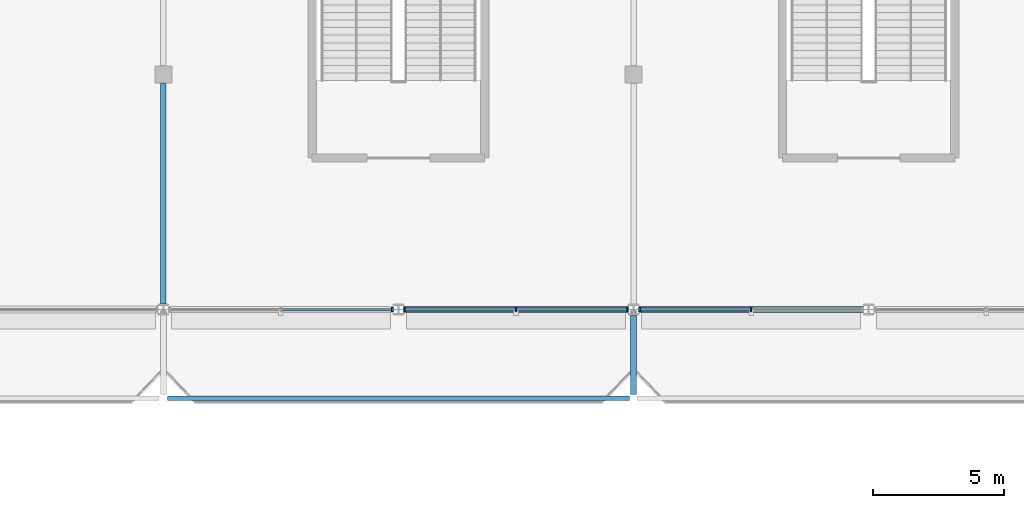
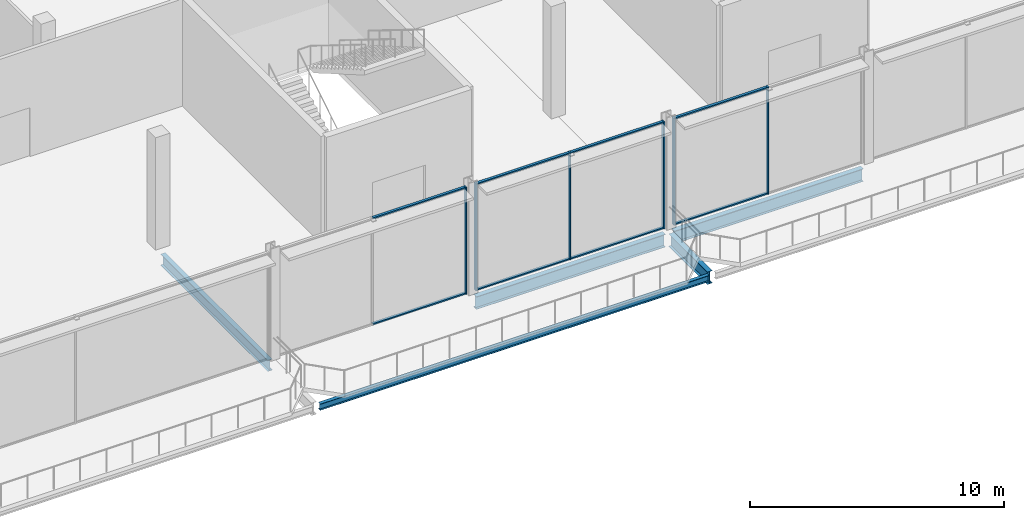
# One storey, part 37 of 113: 14 members, 5 beams, 3 elements without a shape of their own.
"""IFC4 building model written with IfcOpenShell, lengths in metres."""

from ifc_helpers import new_model, si_unit, direction, frame, origin, origin_2d, place, context, subcontext, project, spatial, rectangle, i_section, extrude, material, layer, layer_set, material_profile, profile_set, type_object, element, aggregate, save


model = new_model("IFC4")

# Units and contexts
model_context = context("Model", 3, precision=1e-05, world=origin(), true_north=direction((0.0, 1.0)))
body_context = subcontext(model_context, "Body", "Model", "MODEL_VIEW")
ifc_project = project(units=[si_unit("LENGTHUNIT", "METRE"), si_unit("AREAUNIT", "SQUARE_METRE"), si_unit("VOLUMEUNIT", "CUBIC_METRE"), si_unit("PLANEANGLEUNIT", "RADIAN"), si_unit("MASSUNIT", "GRAM", prefix="KILO")], contexts=[model_context])

# Site, building, storey
site_placement = place(None, origin())
site = spatial("IfcSite", under=ifc_project, at=site_placement, CompositionType="ELEMENT")
building_placement = place(site_placement, origin())
building = spatial("IfcBuilding", under=site, at=building_placement, Name="Kisiwana Market Hall", CompositionType="ELEMENT")
storey_placement = place(building_placement, frame((0.0, 0.0, 6.0)))
storey = spatial("IfcBuildingStorey", under=building, at=storey_placement, Name="L01", CompositionType="ELEMENT", Elevation=6.0)

# Beams
ifc_material_1 = material(Name="Steel S355", Category="steel")
ifc_material_profile_1 = material_profile(ifc_material_1, i_section(OverallWidth=0.2275390625, OverallDepth=0.6025390625, WebThickness=0.010498046875, FlangeThickness=0.014892578125, at=origin_2d()), Name="UB 610x229x101")
ifc_profile_set_1 = profile_set([ifc_material_profile_1], Name="Steel S355")
beam_type_1 = type_object("IfcBeamType", Name="BM-CANT-PROW", PredefinedType="BEAM", material=ifc_profile_set_1)
beam_1_placement = place(storey_placement, frame((99.0, 83.78662109375, -0.501220703125), z_axis=(0.0, -1.0, 0.0), x_axis=(1.0, 0.0, 0.0)))
element("IfcBeam", 1, at=beam_1_placement, inside=storey, type_object=beam_type_1, Name="Gallery prow girder B-0586", PredefinedType="BEAM", context=body_context, shape_type="SweptSolid", body=[
    extrude(i_section(OverallWidth=0.2275390625, OverallDepth=0.6025390625, WebThickness=0.010498046875, FlangeThickness=0.014892578125, at=origin_2d()), origin(), (0.0, 0.0, 1.0), 3.03662109375),
])
ifc_material_2 = material(Name="Steel S355", Category="steel")
ifc_material_profile_2 = material_profile(ifc_material_2, i_section(OverallWidth=0.209228515625, OverallDepth=0.533203125, WebThickness=0.010009765625, FlangeThickness=0.015625, at=origin_2d()), Name="UB 533x210x92")
ifc_profile_set_2 = profile_set([ifc_material_profile_2], Name="Steel S355")
beam_type_2 = type_object("IfcBeamType", Name="BM-GIRD-UB533", PredefinedType="BEAM", material=ifc_profile_set_2)
beam_2_placement = place(storey_placement, frame((81.0, 84.21337890625, -0.5166015625), z_axis=(0.0, 1.0, 0.0), x_axis=(-1.0, 0.0, 0.0)))
element("IfcBeam", 2, at=beam_2_placement, inside=storey, type_object=beam_type_2, Name="Primary girder B-0370", PredefinedType="BEAM", context=body_context, shape_type="SweptSolid", body=[
    extrude(i_section(OverallWidth=0.209228515625, OverallDepth=0.533203125, WebThickness=0.010009765625, FlangeThickness=0.015625, at=origin_2d()), origin(), (0.0, 0.0, 1.0), 8.440673828125),
])
ifc_material_3 = material(Name="Steel S355", Category="steel")
ifc_material_profile_3 = material_profile(ifc_material_3, i_section(OverallWidth=0.22900390625, OverallDepth=0.6123046875, WebThickness=0.011962890625, FlangeThickness=0.01953125, at=origin_2d()), Name="UB 610x229x125")
ifc_profile_set_3 = profile_set([ifc_material_profile_3], Name="Steel S355")
beam_type_3 = type_object("IfcBeamType", Name="BM-GIRD-UB610H", PredefinedType="BEAM", material=ifc_profile_set_3)
for number, where, z_axis, x_axis, name in (
    (3, (90.201904296875, 84.0, -0.55615234375), (1.0, 0.0, 0.0), (0.0, 1.0, 0.0), "Floor beam B-0510"),
    (4, (99.201904296875, 84.0, -0.55615234375), (1.0, 0.0, 0.0), (0.0, 1.0, 0.0), "Floor beam B-0511"),
):
    element("IfcBeam", number, at=place(storey_placement, frame(where, z_axis=z_axis, x_axis=x_axis)), inside=storey, type_object=beam_type_3, Name=name, PredefinedType="BEAM", context=body_context, shape_type="SweptSolid", body=[
        extrude(i_section(OverallWidth=0.22900390625, OverallDepth=0.6123046875, WebThickness=0.011962890625, FlangeThickness=0.01953125, at=origin_2d()), origin(), (0.0, 0.0, 1.0), 8.59619140625),
    ])
ifc_material_4 = material(Name="Steel S355", Category="steel")
ifc_material_profile_4 = material_profile(ifc_material_4, i_section(OverallWidth=0.1650390625, OverallDepth=0.303466796875, WebThickness=0.006103515625, FlangeThickness=0.01025390625, at=origin_2d()), Name="UB 305x165x40")
ifc_profile_set_4 = profile_set([ifc_material_profile_4], Name="Steel S355")
beam_type_4 = type_object("IfcBeamType", Name="BM-JOIST-UB305", PredefinedType="JOIST", material=ifc_profile_set_4)
beam_3_placement = place(storey_placement, frame((81.159912109375, 80.60009765625, -0.351806640625), z_axis=(1.0, 0.0, 0.0), x_axis=(0.0, 1.0, 0.0)))
element("IfcBeam", 5, at=beam_3_placement, inside=storey, type_object=beam_type_4, Name="Prow edge tie B-0588", PredefinedType="JOIST", context=body_context, shape_type="SweptSolid", body=[
    extrude(i_section(OverallWidth=0.1650390625, OverallDepth=0.303466796875, WebThickness=0.006103515625, FlangeThickness=0.01025390625, at=origin_2d()), origin(), (0.0, 0.0, 1.0), 17.68017578125),
])

# Curtain wall, member
ifc_material_5 = material(Name="Double-glazed solar-control low-E IGU", Category="glass")
ifc_layer = layer(ifc_material_5, 0.159912109375)
ifc_layer_set = layer_set([ifc_layer], Name="CW-FC-S-7600")
curtain_wall_type = type_object("IfcCurtainWallType", Name="CW-FC-S-7600", PredefinedType="USERDEFINED", material=ifc_layer_set)
curtain_wall_1_placement = place(storey_placement, origin())
curtain_wall_1 = element("IfcCurtainWall", 6, at=curtain_wall_1_placement, inside=storey, type_object=curtain_wall_type, Name="Unitised curtain wall CW-027 (L01)", ObjectType="UNITISED CURTAIN WALL", PredefinedType="USERDEFINED")
ifc_material_6 = material(Name="Aluminium alloy 6063-T6", Category="aluminium")
ifc_material_profile_5 = material_profile(ifc_material_6, rectangle(XDim=0.06005859375, YDim=0.159912109375, at=origin_2d()), Name="ALU MULLION 60x160")
ifc_profile_set_5 = profile_set([ifc_material_profile_5], Name="Aluminium alloy 6063-T6")
member_type_1 = type_object("IfcMemberType", Name="CW-MULL-60x160", PredefinedType="MULLION", material=ifc_profile_set_5)
member_1_placement = place(storey_placement, frame((89.763916015625, 84.0, 0.0), z_axis=(0.0, 0.0, 1.0), x_axis=(1.0, 0.0, 0.0)))
member_1 = element("IfcMember", 7, at=member_1_placement, type_object=member_type_1, Name="CW-027 mullion 3", PredefinedType="MULLION", context=body_context, shape_type="SweptSolid", body=[
    extrude(rectangle(XDim=0.06005859375, YDim=0.159912109375, at=origin_2d()), origin(), (0.0, 0.0, 1.0), 5.14990234375),
])

# Curtain wall, members
curtain_wall_2_placement = place(storey_placement, origin())
curtain_wall_2 = element("IfcCurtainWall", 8, at=curtain_wall_2_placement, inside=storey, type_object=curtain_wall_type, Name="Unitised curtain wall CW-028 (L01)", ObjectType="UNITISED CURTAIN WALL", PredefinedType="USERDEFINED")
member_2_placement = place(storey_placement, frame((90.236083984375, 84.0, 0.0), z_axis=(0.0, 0.0, 1.0), x_axis=(1.0, 0.0, 0.0)))
member_2 = element("IfcMember", 9, at=member_2_placement, type_object=member_type_1, Name="CW-028 mullion 1", PredefinedType="MULLION", context=body_context, shape_type="SweptSolid", body=[
    extrude(rectangle(XDim=0.06005859375, YDim=0.159912109375, at=origin_2d()), origin(), (0.0, 0.0, 1.0), 5.14990234375),
])
member_3_placement = place(storey_placement, frame((94.5, 84.0, 0.0), z_axis=(0.0, 0.0, 1.0), x_axis=(1.0, 0.0, 0.0)))
member_3 = element("IfcMember", 10, at=member_3_placement, type_object=member_type_1, Name="CW-028 mullion 2", PredefinedType="MULLION", context=body_context, shape_type="SweptSolid", body=[
    extrude(rectangle(XDim=0.06005859375, YDim=0.159912109375, at=origin_2d()), origin(), (0.0, 0.0, 1.0), 5.14990234375),
])
member_4_placement = place(storey_placement, frame((98.763916015625, 84.0, 0.0), z_axis=(0.0, 0.0, 1.0), x_axis=(1.0, 0.0, 0.0)))
member_4 = element("IfcMember", 11, at=member_4_placement, type_object=member_type_1, Name="CW-028 mullion 3", PredefinedType="MULLION", context=body_context, shape_type="SweptSolid", body=[
    extrude(rectangle(XDim=0.06005859375, YDim=0.159912109375, at=origin_2d()), origin(), (0.0, 0.0, 1.0), 5.14990234375),
])

curtain_wall_3_placement = place(storey_placement, origin())
curtain_wall_3 = element("IfcCurtainWall", 12, at=curtain_wall_3_placement, inside=storey, type_object=curtain_wall_type, Name="Unitised curtain wall CW-029 (L01)", ObjectType="UNITISED CURTAIN WALL", PredefinedType="USERDEFINED")
member_5_placement = place(storey_placement, frame((99.236083984375, 84.0, 0.0), z_axis=(0.0, 0.0, 1.0), x_axis=(1.0, 0.0, 0.0)))
member_5 = element("IfcMember", 13, at=member_5_placement, type_object=member_type_1, Name="CW-029 mullion 1", PredefinedType="MULLION", context=body_context, shape_type="SweptSolid", body=[
    extrude(rectangle(XDim=0.06005859375, YDim=0.159912109375, at=origin_2d()), origin(), (0.0, 0.0, 1.0), 5.14990234375),
])
member_6_placement = place(storey_placement, frame((103.5, 84.0, 0.0), z_axis=(0.0, 0.0, 1.0), x_axis=(1.0, 0.0, 0.0)))
member_6 = element("IfcMember", 14, at=member_6_placement, type_object=member_type_1, Name="CW-029 mullion 2", PredefinedType="MULLION", context=body_context, shape_type="SweptSolid", body=[
    extrude(rectangle(XDim=0.06005859375, YDim=0.159912109375, at=origin_2d()), origin(), (0.0, 0.0, 1.0), 5.14990234375),
])

# Member
ifc_material_7 = material(Name="Aluminium alloy 6063-T6", Category="aluminium")
ifc_material_profile_6 = material_profile(ifc_material_7, rectangle(XDim=0.1201171875, YDim=0.06005859375, at=origin_2d()), Name="ALU TRANSOM 60x120")
ifc_profile_set_6 = profile_set([ifc_material_profile_6], Name="Aluminium alloy 6063-T6")
member_type_2 = type_object("IfcMemberType", Name="CW-TRAN-60x120", PredefinedType="USERDEFINED", material=ifc_profile_set_6)
member_7_placement = place(storey_placement, frame((85.530029296875, 84.0, 0.030029296875), z_axis=(1.0, 0.0, 0.0), x_axis=(0.0, 1.0, 0.0)))
member_7 = element("IfcMember", 15, at=member_7_placement, type_object=member_type_2, Name="CW-027 transom 2.1", ObjectType="TRANSOM", PredefinedType="USERDEFINED", context=body_context, shape_type="SweptSolid", body=[
    extrude(rectangle(XDim=0.1201171875, YDim=0.06005859375, at=origin_2d()), origin(), (0.0, 0.0, 1.0), 4.203857421875),
])

member_8_placement = place(storey_placement, frame((85.530029296875, 84.0, 5.1201171875), z_axis=(1.0, 0.0, 0.0), x_axis=(0.0, 1.0, 0.0)))
member_8 = element("IfcMember", 16, at=member_8_placement, type_object=member_type_2, Name="CW-027 transom 2.2", ObjectType="TRANSOM", PredefinedType="USERDEFINED", context=body_context, shape_type="SweptSolid", body=[
    extrude(rectangle(XDim=0.1201171875, YDim=0.06005859375, at=origin_2d()), origin(), (0.0, 0.0, 1.0), 4.203857421875),
])

aggregate(curtain_wall_1, [member_1, member_7, member_8])

member_9_placement = place(storey_placement, frame((90.26611328125, 84.0, 0.030029296875), z_axis=(1.0, 0.0, 0.0), x_axis=(0.0, 1.0, 0.0)))
member_9 = element("IfcMember", 17, at=member_9_placement, type_object=member_type_2, Name="CW-028 transom 1.1", ObjectType="TRANSOM", PredefinedType="USERDEFINED", context=body_context, shape_type="SweptSolid", body=[
    extrude(rectangle(XDim=0.1201171875, YDim=0.06005859375, at=origin_2d()), origin(), (0.0, 0.0, 1.0), 4.203857421875),
])

member_10_placement = place(storey_placement, frame((90.26611328125, 84.0, 5.1201171875), z_axis=(1.0, 0.0, 0.0), x_axis=(0.0, 1.0, 0.0)))
member_10 = element("IfcMember", 18, at=member_10_placement, type_object=member_type_2, Name="CW-028 transom 1.2", ObjectType="TRANSOM", PredefinedType="USERDEFINED", context=body_context, shape_type="SweptSolid", body=[
    extrude(rectangle(XDim=0.1201171875, YDim=0.06005859375, at=origin_2d()), origin(), (0.0, 0.0, 1.0), 4.203857421875),
])

member_11_placement = place(storey_placement, frame((94.530029296875, 84.0, 0.030029296875), z_axis=(1.0, 0.0, 0.0), x_axis=(0.0, 1.0, 0.0)))
member_11 = element("IfcMember", 19, at=member_11_placement, type_object=member_type_2, Name="CW-028 transom 2.1", ObjectType="TRANSOM", PredefinedType="USERDEFINED", context=body_context, shape_type="SweptSolid", body=[
    extrude(rectangle(XDim=0.1201171875, YDim=0.06005859375, at=origin_2d()), origin(), (0.0, 0.0, 1.0), 4.203857421875),
])

member_12_placement = place(storey_placement, frame((94.530029296875, 84.0, 5.1201171875), z_axis=(1.0, 0.0, 0.0), x_axis=(0.0, 1.0, 0.0)))
member_12 = element("IfcMember", 20, at=member_12_placement, type_object=member_type_2, Name="CW-028 transom 2.2", ObjectType="TRANSOM", PredefinedType="USERDEFINED", context=body_context, shape_type="SweptSolid", body=[
    extrude(rectangle(XDim=0.1201171875, YDim=0.06005859375, at=origin_2d()), origin(), (0.0, 0.0, 1.0), 4.203857421875),
])

aggregate(curtain_wall_2, [member_2, member_3, member_4, member_9, member_10, member_11, member_12])

member_13_placement = place(storey_placement, frame((99.26611328125, 84.0, 0.030029296875), z_axis=(1.0, 0.0, 0.0), x_axis=(0.0, 1.0, 0.0)))
member_13 = element("IfcMember", 21, at=member_13_placement, type_object=member_type_2, Name="CW-029 transom 1.1", ObjectType="TRANSOM", PredefinedType="USERDEFINED", context=body_context, shape_type="SweptSolid", body=[
    extrude(rectangle(XDim=0.1201171875, YDim=0.06005859375, at=origin_2d()), origin(), (0.0, 0.0, 1.0), 4.203857421875),
])

member_14_placement = place(storey_placement, frame((99.26611328125, 84.0, 5.1201171875), z_axis=(1.0, 0.0, 0.0), x_axis=(0.0, 1.0, 0.0)))
member_14 = element("IfcMember", 22, at=member_14_placement, type_object=member_type_2, Name="CW-029 transom 1.2", ObjectType="TRANSOM", PredefinedType="USERDEFINED", context=body_context, shape_type="SweptSolid", body=[
    extrude(rectangle(XDim=0.1201171875, YDim=0.06005859375, at=origin_2d()), origin(), (0.0, 0.0, 1.0), 4.203857421875),
])

aggregate(curtain_wall_3, [member_5, member_6, member_13, member_14])

save(model, "model.ifc")
